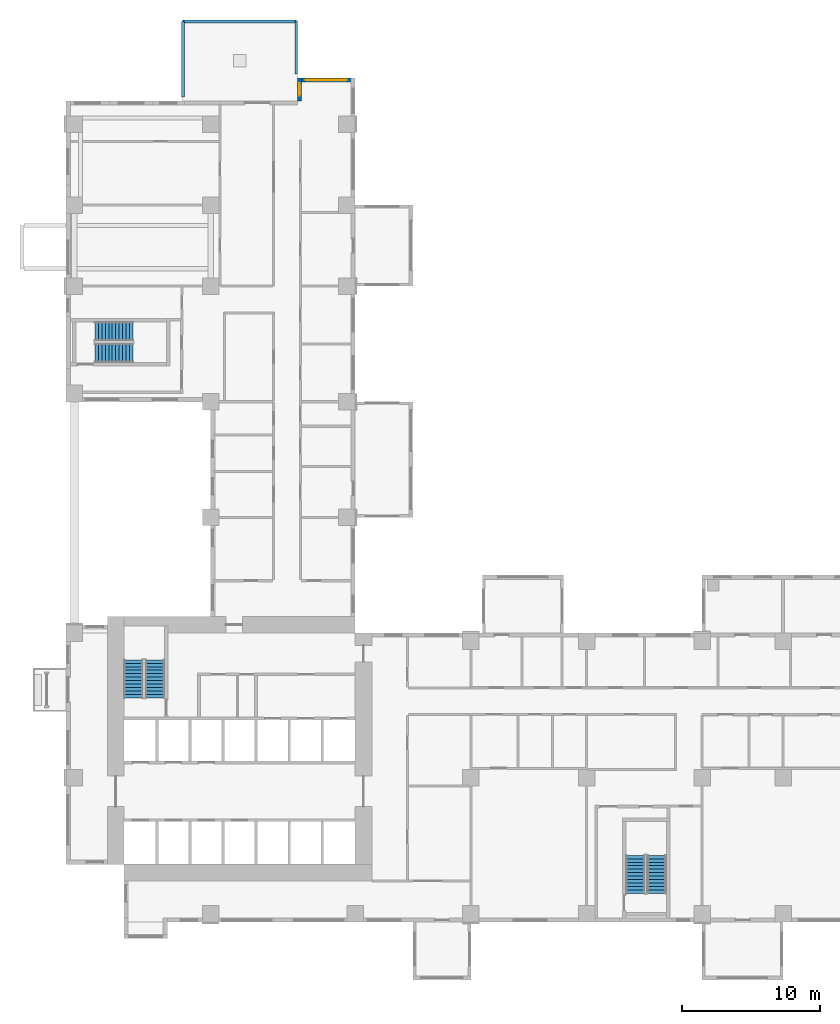
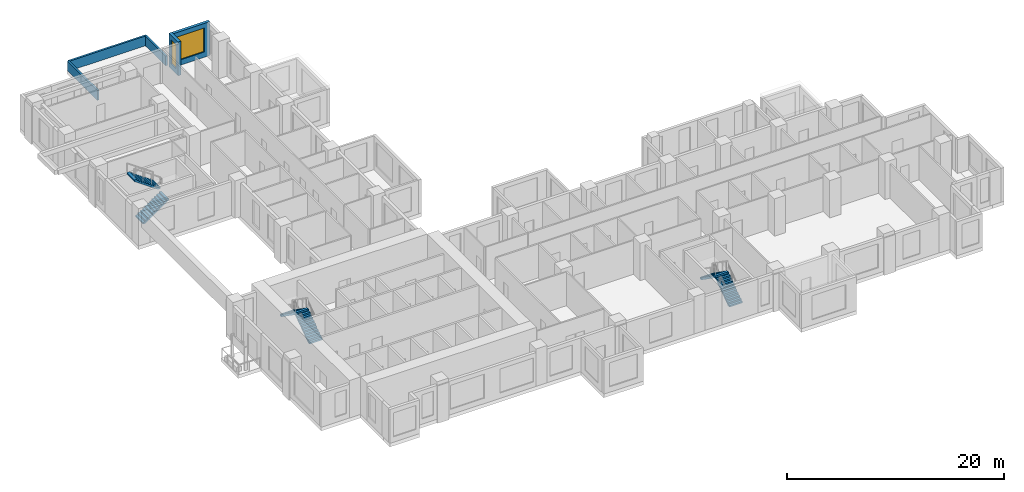
# One storey, part 10 of 14: 6 stair flights, 5 walls, 2 windows, 2 openings, 3 elements without a shape of their own.
"""IFC4 building model written with IfcOpenShell, lengths in metres."""

from ifc_helpers import new_model, si_unit, direction, frame, frame_2d, origin, place, context, subcontext, project, spatial, polyline, rectangle, outline, extrude, source, transform, mapped, material, layer, layer_set, type_object, element, fill, aggregate, save


model = new_model("IFC4")

# Units and contexts
model_context = context("Model", 3, precision=1e-05, world=origin(), true_north=direction((0.0, 1.0)))
body_context = subcontext(model_context, "Body", "Model", "MODEL_VIEW")
ifc_project = project(units=[si_unit("LENGTHUNIT", "METRE"), si_unit("AREAUNIT", "SQUARE_METRE"), si_unit("VOLUMEUNIT", "CUBIC_METRE"), si_unit("PLANEANGLEUNIT", "RADIAN"), si_unit("MASSUNIT", "GRAM", prefix="KILO")], contexts=[model_context])

# Site, building, storey
site_placement = place(None, origin())
site = spatial("IfcSite", under=ifc_project, at=site_placement, CompositionType="ELEMENT")
building_placement = place(site_placement, origin())
building = spatial("IfcBuilding", under=site, at=building_placement, Name="Aurelian Terraces", CompositionType="ELEMENT")
storey_placement = place(building_placement, frame((0.0, 0.0, 78.3)))
storey = spatial("IfcBuildingStorey", under=building, at=storey_placement, Name="L16", CompositionType="ELEMENT", Elevation=78.3)

# Walls
ifc_material_1 = material(Name="Terracotta rainscreen cladding", Category="masonry")
ifc_layer_1 = layer(ifc_material_1, 0.2)
ifc_layer_set_1 = layer_set([ifc_layer_1], Name="PARAPET-200")
wall_type_1 = type_object("IfcWallType", Name="PARAPET-200", PredefinedType="PARAPET", material=ifc_layer_set_1)
wall_1_placement = place(storey_placement, frame((8.49, 59.94, 0.0), z_axis=(0.0, 0.0, 1.0), x_axis=(0.0, 1.0, 0.0)))
element("IfcWall", 1, at=wall_1_placement, inside=storey, type_object=wall_type_1, Name="Parapet L16 L16-X1", PredefinedType="PARAPET", context=body_context, shape_type="SweptSolid", body=[
    extrude(rectangle(XDim=5.49, YDim=0.2, at=frame_2d((2.745, 0.0))), origin(), (0.0, 0.0, 1.0), 1.1),
])
wall_2_placement = place(storey_placement, frame((8.49, 65.43, 0.0), z_axis=(0.0, 0.0, 1.0), x_axis=(1.0, 0.0, 0.0)))
element("IfcWall", 2, at=wall_2_placement, inside=storey, type_object=wall_type_1, Name="Parapet L16 L16-X1", PredefinedType="PARAPET", context=body_context, shape_type="SweptSolid", body=[
    extrude(rectangle(XDim=8.22, YDim=0.2, at=frame_2d((4.11, 0.0))), origin(), (0.0, 0.0, 1.0), 1.1),
])
wall_3_placement = place(storey_placement, frame((16.71, 65.43, 0.0), z_axis=(0.0, 0.0, 1.0), x_axis=(0.0, -1.0, 0.0)))
element("IfcWall", 3, at=wall_3_placement, inside=storey, type_object=wall_type_1, Name="Parapet L16 L16-X1", PredefinedType="PARAPET", context=body_context, shape_type="SweptSolid", body=[
    extrude(rectangle(XDim=3.824, YDim=0.2, at=frame_2d((1.912, 0.0))), origin(), (0.0, 0.0, 1.0), 1.1),
])

# Wall, opening, window
ifc_layer_2 = layer(ifc_material_1, 0.3)
ifc_layer_set_2 = layer_set([ifc_layer_2], Name="EW-300")
wall_type_2 = type_object("IfcWallType", Name="EW-300", PredefinedType="STANDARD", material=ifc_layer_set_2)
shared_shape_1 = source(origin(), body_context, "Body", "SweptSolid", [
    extrude(rectangle(XDim=4.2, YDim=0.3, at=frame_2d((2.1, 0.0))), origin(), (0.0, 0.0, 1.0), 3.8),
])
wall_4_placement = place(storey_placement, frame((21.0, 61.17, 0.0), z_axis=(0.0, 0.0, 1.0), x_axis=(-1.0, 0.0, 0.0)))
wall_4 = element("IfcWall", 4, at=wall_4_placement, inside=storey, type_object=wall_type_2, Name="External wall L16 F09.26", PredefinedType="STANDARD", context=body_context, shape_type="MappedRepresentation", body=[
    mapped(shared_shape_1, transform((0.0, 0.0, 0.0), scale=1.0)),
])
shared_shape_2 = source(origin(), body_context, "Body", "SweptSolid", [
    extrude(rectangle(XDim=3.0, YDim=2.7, at=frame_2d((1.5, 1.35))), frame((0.0, 0.16, 0.0), z_axis=(0.0, -1.0, 0.0), x_axis=(1.0, 0.0, 0.0)), (0.0, 0.0, 1.0), 0.32),
])
opening_1_placement = place(wall_4_placement, frame((0.6, 0.0, 0.6)))
opening_1 = element("IfcOpeningElement", 5, at=opening_1_placement, cuts=wall_4, Name="Opening W3027", PredefinedType="OPENING", context=body_context, shape_type="MappedRepresentation", body=[
    mapped(shared_shape_2, transform((0.0, 0.0, 0.0), scale=1.0)),
])
ifc_material_2 = material(Name="Clear glazing", Category="glass")
window_type_1 = type_object("IfcWindowType", Name="W-3000x2700", PartitioningType="SINGLE_PANEL", PredefinedType="WINDOW", material=ifc_material_2)
shared_shape_3 = source(origin(), body_context, "Body", "SweptSolid", [
    extrude(rectangle(XDim=3.0, YDim=2.7, at=frame_2d((1.5, 1.35))), frame((0.0, 0.03, 0.0), z_axis=(0.0, -1.0, 0.0), x_axis=(1.0, 0.0, 0.0)), (0.0, 0.0, 1.0), 0.06),
])
window_1_placement = place(opening_1_placement, origin())
window_1 = element("IfcWindow", 6, at=window_1_placement, inside=storey, type_object=window_type_1, Name="Window L16 L16-F09-26-0", OverallHeight=2.7, OverallWidth=3.0, PartitioningType="SINGLE_PANEL", PredefinedType="WINDOW", context=body_context, shape_type="MappedRepresentation", body=[
    mapped(shared_shape_3, transform((0.0, 0.0, 0.0), scale=1.0)),
])
fill(opening_1, window_1)

shared_shape_4 = source(origin(), body_context, "Body", "SweptSolid", [
    extrude(rectangle(XDim=1.68, YDim=0.3, at=frame_2d((0.84, 0.0))), origin(), (0.0, 0.0, 1.0), 3.8),
])
wall_5_placement = place(storey_placement, frame((16.95, 61.32, 0.0), z_axis=(0.0, 0.0, 1.0), x_axis=(0.0, -1.0, 0.0)))
wall_5 = element("IfcWall", 7, at=wall_5_placement, inside=storey, type_object=wall_type_2, Name="External wall L16 F10.27", PredefinedType="STANDARD", context=body_context, shape_type="MappedRepresentation", body=[
    mapped(shared_shape_4, transform((0.0, 0.0, 0.0), scale=1.0)),
])
shared_shape_5 = source(origin(), body_context, "Body", "SweptSolid", [
    extrude(rectangle(XDim=0.9, YDim=2.7, at=frame_2d((0.45, 1.35))), frame((0.0, 0.16, 0.0), z_axis=(0.0, -1.0, 0.0), x_axis=(1.0, 0.0, 0.0)), (0.0, 0.0, 1.0), 0.32),
])
opening_2_placement = place(wall_5_placement, frame((0.39, 0.0, 0.6)))
opening_2 = element("IfcOpeningElement", 8, at=opening_2_placement, cuts=wall_5, Name="Opening W0927", PredefinedType="OPENING", context=body_context, shape_type="MappedRepresentation", body=[
    mapped(shared_shape_5, transform((0.0, 0.0, 0.0), scale=1.0)),
])
window_type_2 = type_object("IfcWindowType", Name="W-900x2700", PartitioningType="SINGLE_PANEL", PredefinedType="WINDOW", material=ifc_material_2)
shared_shape_6 = source(origin(), body_context, "Body", "SweptSolid", [
    extrude(rectangle(XDim=0.9, YDim=2.7, at=frame_2d((0.45, 1.35))), frame((0.0, 0.03, 0.0), z_axis=(0.0, -1.0, 0.0), x_axis=(1.0, 0.0, 0.0)), (0.0, 0.0, 1.0), 0.06),
])
window_2_placement = place(opening_2_placement, origin())
window_2 = element("IfcWindow", 9, at=window_2_placement, inside=storey, type_object=window_type_2, Name="Window L16 L16-F10-27-P0", OverallHeight=2.7, OverallWidth=0.9, PartitioningType="SINGLE_PANEL", PredefinedType="WINDOW", context=body_context, shape_type="MappedRepresentation", body=[
    mapped(shared_shape_6, transform((0.0, 0.0, 0.0), scale=1.0)),
])
fill(opening_2, window_2)

# Stair, stair flights
ifc_material_3 = material(Name="Concrete fc' 40 MPa", Category="concrete")
stair_type = type_object("IfcStairType", Name="Stair 1400", PredefinedType="HALF_TURN_STAIR", material=ifc_material_3)
stair_1_placement = place(storey_placement, origin())
stair_1 = element("IfcStair", 10, at=stair_1_placement, inside=storey, type_object=stair_type, Name="L16 S1", PredefinedType="HALF_TURN_STAIR")
stair_flight_type = type_object("IfcStairFlightType", Name="Stair flight 1400", PredefinedType="STRAIGHT", material=ifc_material_3)
shared_shape_7 = source(origin(), body_context, "Body", "SweptSolid", [
    extrude(outline(polyline([(0.0, 0.0), (0.0, 0.175), (0.25, 0.175), (0.25, 0.35), (0.5, 0.35), (0.5, 0.525), (0.75, 0.525), (0.75, 0.7), (1.0, 0.7), (1.0, 0.875), (1.25, 0.875), (1.25, 1.05), (1.5, 1.05), (1.5, 1.225), (1.75, 1.225), (1.75, 1.4), (2.0, 1.4), (2.0, 1.575), (2.25, 1.575), (2.25, 1.75), (2.5, 1.75), (2.5, 1.925), (2.75, 1.925), (2.75, 2.1), (2.75, 1.7419), (0.2616, 0.0), (0.0, 0.0)])), frame((0.0, 0.7, 0.0), z_axis=(0.0, -1.0, 0.0), x_axis=(1.0, 0.0, 0.0)), (0.0, 0.0, 1.0), 1.4),
])
stair_flight_1_placement = place(storey_placement, frame((6.45, 16.3, 2e-08), z_axis=(0.0, 0.0, 1.0), x_axis=(0.0, 1.0, 0.0)))
stair_flight_1 = element("IfcStairFlight", 11, at=stair_flight_1_placement, type_object=stair_flight_type, Name="S1 flight 1", NumberOfRisers=12, NumberOfTreads=11, PredefinedType="STRAIGHT", RiserHeight=0.175, TreadLength=0.25, context=body_context, shape_type="MappedRepresentation", body=[
    mapped(shared_shape_7, transform((0.0, 0.0, 0.0), scale=1.0)),
])
stair_flight_2_placement = place(storey_placement, frame((4.9, 19.05, 2.1000000200000084), z_axis=(0.0, 0.0, 1.0), x_axis=(0.0, -1.0, 0.0)))
stair_flight_2 = element("IfcStairFlight", 12, at=stair_flight_2_placement, type_object=stair_flight_type, Name="S1 flight 2", NumberOfRisers=12, NumberOfTreads=11, PredefinedType="STRAIGHT", RiserHeight=0.175, TreadLength=0.25, context=body_context, shape_type="MappedRepresentation", body=[
    mapped(shared_shape_7, transform((0.0, 0.0, 0.0), scale=1.0)),
])
aggregate(stair_1, [stair_flight_1, stair_flight_2])

stair_2_placement = place(storey_placement, origin())
stair_2 = element("IfcStair", 13, at=stair_2_placement, inside=storey, type_object=stair_type, Name="L16 S2", PredefinedType="HALF_TURN_STAIR")
stair_flight_3_placement = place(storey_placement, frame((42.9, 2.1, 2e-08), z_axis=(0.0, 0.0, 1.0), x_axis=(0.0, 1.0, 0.0)))
stair_flight_3 = element("IfcStairFlight", 14, at=stair_flight_3_placement, type_object=stair_flight_type, Name="S2 flight 1", NumberOfRisers=12, NumberOfTreads=11, PredefinedType="STRAIGHT", RiserHeight=0.175, TreadLength=0.25, context=body_context, shape_type="MappedRepresentation", body=[
    mapped(shared_shape_7, transform((0.0, 0.0, 0.0), scale=1.0)),
])
stair_flight_4_placement = place(storey_placement, frame((41.35, 4.85, 2.1000000200000084), z_axis=(0.0, 0.0, 1.0), x_axis=(0.0, -1.0, 0.0)))
stair_flight_4 = element("IfcStairFlight", 15, at=stair_flight_4_placement, type_object=stair_flight_type, Name="S2 flight 2", NumberOfRisers=12, NumberOfTreads=11, PredefinedType="STRAIGHT", RiserHeight=0.175, TreadLength=0.25, context=body_context, shape_type="MappedRepresentation", body=[
    mapped(shared_shape_7, transform((0.0, 0.0, 0.0), scale=1.0)),
])
aggregate(stair_2, [stair_flight_3, stair_flight_4])

stair_3_placement = place(storey_placement, origin())
stair_3 = element("IfcStair", 16, at=stair_3_placement, inside=storey, type_object=stair_type, Name="L16 S3", PredefinedType="HALF_TURN_STAIR")
stair_flight_5_placement = place(storey_placement, frame((2.1, 41.35, 2e-08), z_axis=(0.0, 0.0, 1.0), x_axis=(1.0, 0.0, 0.0)))
stair_flight_5 = element("IfcStairFlight", 17, at=stair_flight_5_placement, type_object=stair_flight_type, Name="S3 flight 1", NumberOfRisers=12, NumberOfTreads=11, PredefinedType="STRAIGHT", RiserHeight=0.175, TreadLength=0.25, context=body_context, shape_type="MappedRepresentation", body=[
    mapped(shared_shape_7, transform((0.0, 0.0, 0.0), scale=1.0)),
])
stair_flight_6_placement = place(storey_placement, frame((4.85, 42.9, 2.1000000200000084), z_axis=(0.0, 0.0, 1.0), x_axis=(-1.0, 0.0, 0.0)))
stair_flight_6 = element("IfcStairFlight", 18, at=stair_flight_6_placement, type_object=stair_flight_type, Name="S3 flight 2", NumberOfRisers=12, NumberOfTreads=11, PredefinedType="STRAIGHT", RiserHeight=0.175, TreadLength=0.25, context=body_context, shape_type="MappedRepresentation", body=[
    mapped(shared_shape_7, transform((0.0, 0.0, 0.0), scale=1.0)),
])
aggregate(stair_3, [stair_flight_5, stair_flight_6])

save(model, "model.ifc")
